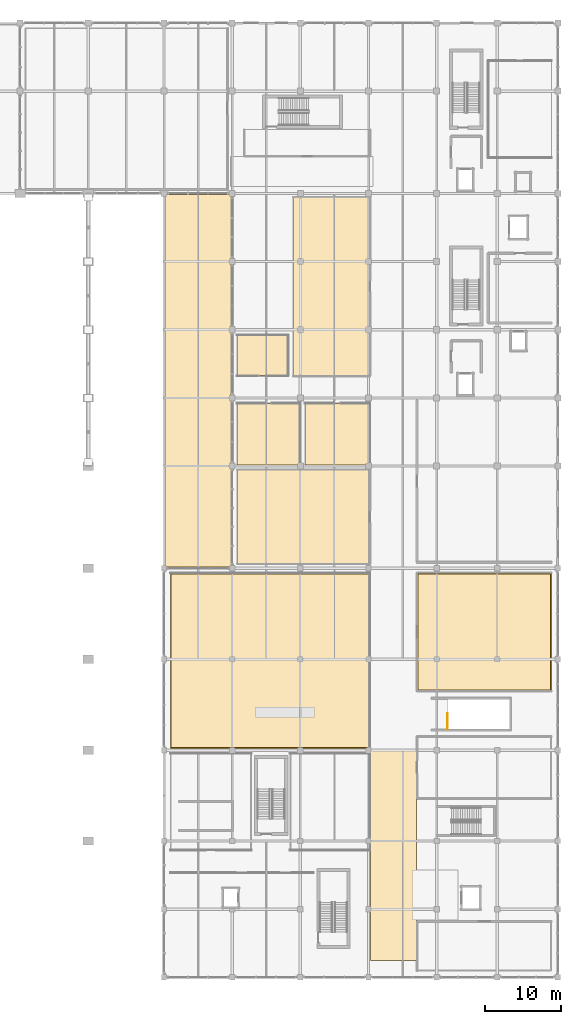
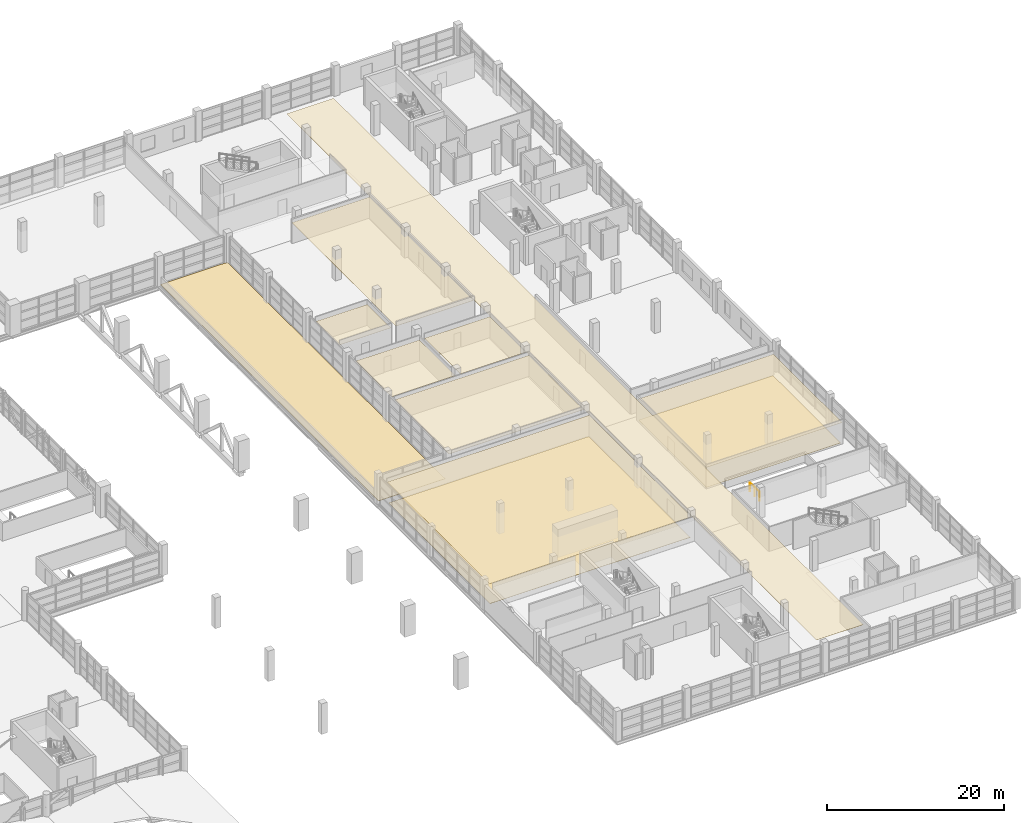
# One storey, part 132 of 136: 11 coverings, 1 railing.
"""IFC4 building model written with IfcOpenShell, lengths in metres."""

from ifc_helpers import new_model, si_unit, direction, frame, origin, origin_2d, place, context, subcontext, project, spatial, polyline, circle, outline, extrude, material, layer, layer_set, type_object, element, save


model = new_model("IFC4")

# Units and contexts
model_context = context("Model", 3, precision=1e-05, world=origin(), true_north=direction((0.0, 1.0)))
body_context = subcontext(model_context, "Body", "Model", "MODEL_VIEW")
ifc_project = project(units=[si_unit("LENGTHUNIT", "METRE"), si_unit("AREAUNIT", "SQUARE_METRE"), si_unit("VOLUMEUNIT", "CUBIC_METRE"), si_unit("PLANEANGLEUNIT", "RADIAN"), si_unit("MASSUNIT", "GRAM", prefix="KILO")], contexts=[model_context])

# Site, building, storey
site_placement = place(None, origin())
site = spatial("IfcSite", under=ifc_project, at=site_placement, CompositionType="ELEMENT")
building_placement = place(site_placement, origin())
building = spatial("IfcBuilding", under=site, at=building_placement, Name="Chuanluo Vaults Station", CompositionType="ELEMENT")
storey_placement = place(building_placement, frame((0.0, 0.0, 6.60009765625)))
storey = spatial("IfcBuildingStorey", under=building, at=storey_placement, Name="L01", CompositionType="ELEMENT", Elevation=6.60009765625)

# Coverings
ifc_material_1 = material(Name="Acoustic mineral-fibre tile")
ifc_layer_1 = layer(ifc_material_1, 0.02490234375)
ifc_layer_set_1 = layer_set([ifc_layer_1], Name="Acoustic mineral-fibre tile")
covering_type_1 = type_object("IfcCoveringType", Name="COV-CEIL-TILE", PredefinedType="CEILING", material=ifc_layer_set_1)
covering_1_placement = place(storey_placement, frame((0.0, 0.0, 2.849853515625)))
element("IfcCovering", 1, at=covering_1_placement, inside=storey, type_object=covering_type_1, Name="L01-06 suspended acoustic ceiling", PredefinedType="CEILING", context=body_context, shape_type="SweptSolid", body=[
    extrude(outline(polyline([(163.239990234375, 2.199951171875), (169.360107421875, 2.199951171875), (169.360107421875, 121.800048828125), (163.239990234375, 121.800048828125), (163.239990234375, 2.199951171875)])), origin(), (0.0, 0.0, 1.0), 0.025146484375),
])
covering_2_placement = place(storey_placement, frame((0.0, 0.0, 2.849853515625)))
element("IfcCovering", 2, at=covering_2_placement, inside=storey, type_object=covering_type_1, Name="L01-09 suspended acoustic ceiling", PredefinedType="CEILING", context=body_context, shape_type="SweptSolid", body=[
    extrude(outline(polyline([(136.840087890625, 30.239990234375), (163.159912109375, 30.239990234375), (163.159912109375, 53.360107421875), (136.840087890625, 53.360107421875), (136.840087890625, 30.239990234375)])), origin(), (0.0, 0.0, 1.0), 0.025146484375),
])
covering_3_placement = place(storey_placement, frame((0.0, 0.0, 2.849853515625)))
element("IfcCovering", 3, at=covering_3_placement, inside=storey, type_object=covering_type_1, Name="L01-11 suspended acoustic ceiling", PredefinedType="CEILING", context=body_context, shape_type="SweptSolid", body=[
    extrude(outline(polyline([(169.43994140625, 37.840087890625), (187.159912109375, 37.840087890625), (187.159912109375, 53.360107421875), (169.43994140625, 53.360107421875), (169.43994140625, 37.840087890625)])), origin(), (0.0, 0.0, 1.0), 0.025146484375),
])
covering_4_placement = place(storey_placement, frame((0.0, 0.0, 2.849853515625)))
element("IfcCovering", 4, at=covering_4_placement, inside=storey, type_object=covering_type_1, Name="L01-12 suspended acoustic ceiling", PredefinedType="CEILING", context=body_context, shape_type="SweptSolid", body=[
    extrude(outline(polyline([(145.639892578125, 54.639892578125), (163.159912109375, 54.639892578125), (163.159912109375, 66.9599609375), (145.639892578125, 66.9599609375), (145.639892578125, 54.639892578125)])), origin(), (0.0, 0.0, 1.0), 0.025146484375),
])
covering_5_placement = place(storey_placement, frame((0.0, 0.0, 2.849853515625)))
element("IfcCovering", 5, at=covering_5_placement, inside=storey, type_object=covering_type_1, Name="L01-13 suspended acoustic ceiling", PredefinedType="CEILING", context=body_context, shape_type="SweptSolid", body=[
    extrude(outline(polyline([(145.639892578125, 67.639892578125), (153.9599609375, 67.639892578125), (153.9599609375, 75.760009765625), (145.639892578125, 75.760009765625), (145.639892578125, 67.639892578125)])), origin(), (0.0, 0.0, 1.0), 0.025146484375),
])
covering_6_placement = place(storey_placement, frame((0.0, 0.0, 2.849853515625)))
element("IfcCovering", 6, at=covering_6_placement, inside=storey, type_object=covering_type_1, Name="L01-14 suspended acoustic ceiling", PredefinedType="CEILING", context=body_context, shape_type="SweptSolid", body=[
    extrude(outline(polyline([(154.639892578125, 67.639892578125), (163.159912109375, 67.639892578125), (163.159912109375, 75.760009765625), (154.639892578125, 75.760009765625), (154.639892578125, 67.639892578125)])), origin(), (0.0, 0.0, 1.0), 0.025146484375),
])
covering_7_placement = place(storey_placement, frame((0.0, 0.0, 2.849853515625)))
element("IfcCovering", 7, at=covering_7_placement, inside=storey, type_object=covering_type_1, Name="L01-15 suspended acoustic ceiling", PredefinedType="CEILING", context=body_context, shape_type="SweptSolid", body=[
    extrude(outline(polyline([(145.639892578125, 79.43994140625), (152.360107421875, 79.43994140625), (152.360107421875, 84.760009765625), (145.639892578125, 84.760009765625), (145.639892578125, 79.43994140625)])), origin(), (0.0, 0.0, 1.0), 0.025146484375),
])
covering_8_placement = place(storey_placement, frame((0.0, 0.0, 2.849853515625)))
element("IfcCovering", 8, at=covering_8_placement, inside=storey, type_object=covering_type_1, Name="L01-17 suspended acoustic ceiling", PredefinedType="CEILING", context=body_context, shape_type="SweptSolid", body=[
    extrude(outline(polyline([(153.0400390625, 79.43994140625), (163.159912109375, 79.43994140625), (163.159912109375, 102.9599609375), (153.0400390625, 102.9599609375), (153.0400390625, 79.43994140625)])), origin(), (0.0, 0.0, 1.0), 0.025146484375),
])
ifc_material_2 = material(Name="Granite stone flooring", Category="masonry")
ifc_layer_2 = layer(ifc_material_2, 0.034912109375)
ifc_layer_set_2 = layer_set([ifc_layer_2], Name="Granite stone flooring")
covering_type_2 = type_object("IfcCoveringType", Name="COV-FLOR-GRAN", PredefinedType="FLOORING", material=ifc_layer_set_2)
covering_9_placement = place(storey_placement, origin())
element("IfcCovering", 9, at=covering_9_placement, inside=storey, type_object=covering_type_2, Name="L01-09 granite floor finish", PredefinedType="FLOORING", context=body_context, shape_type="SweptSolid", body=[
    extrude(outline(polyline([(136.949951171875, 30.35009765625), (163.050048828125, 30.35009765625), (163.050048828125, 53.25), (136.949951171875, 53.25), (136.949951171875, 30.35009765625)])), origin(), (0.0, 0.0, 1.0), 0.034912109375),
])
covering_10_placement = place(storey_placement, origin())
element("IfcCovering", 10, at=covering_10_placement, inside=storey, type_object=covering_type_2, Name="L01-11 granite floor finish", PredefinedType="FLOORING", context=body_context, shape_type="SweptSolid", body=[
    extrude(outline(polyline([(169.550048828125, 37.949951171875), (187.050048828125, 37.949951171875), (187.050048828125, 53.25), (169.550048828125, 53.25), (169.550048828125, 37.949951171875)])), origin(), (0.0, 0.0, 1.0), 0.034912109375),
])
ifc_material_3 = material(Name="TPO waterproof roofing membrane")
ifc_layer_3 = layer(ifc_material_3, 0.044921875)
ifc_layer_set_3 = layer_set([ifc_layer_3], Name="TPO waterproof roofing membrane")
covering_type_3 = type_object("IfcCoveringType", Name="COV-ROOF-TPO", PredefinedType="ROOFING", material=ifc_layer_set_3)
covering_11_placement = place(storey_placement, origin())
element("IfcCovering", 11, at=covering_11_placement, inside=storey, type_object=covering_type_3, Name="Waterproof TPO roof membrane ROOF:L01:PAS", PredefinedType="ROOFING", context=body_context, shape_type="SweptSolid", body=[
    extrude(outline(polyline([(136.14990234375, 54.14990234375), (144.85009765625, 54.14990234375), (144.85009765625, 103.35009765625), (136.14990234375, 103.35009765625), (136.14990234375, 54.14990234375)])), origin(), (0.0, 0.0, 1.0), 0.044921875),
])

# Railing
ifc_material_4 = material(Name="Tempered laminated balustrade glass", Category="glass")
railing_type = type_object("IfcRailingType", Name="RLG-GUARD-1200", PredefinedType="BALUSTRADE", material=ifc_material_4)
railing_placement = place(storey_placement, frame((173.449951171875, 32.75, 0.0)))
element("IfcRailing", 12, at=railing_placement, inside=storey, type_object=railing_type, Name="L01 ST-26 top well guard 1", PredefinedType="BALUSTRADE", context=body_context, shape_type="SweptSolid", body=[
    extrude(circle(Radius=0.02392578125, at=origin_2d()), frame((0.0, 0.0, 1.17578125), z_axis=(0.0, 1.0, 0.0), x_axis=(-1.0, 0.0, 0.0)), (0.0, 0.0, 1.0), 2.125),
    extrude(circle(Radius=0.02099609375, at=origin_2d()), origin(), (0.0, 0.0, 1.0), 1.15185546875),
    extrude(circle(Radius=0.02099609375, at=origin_2d()), frame((0.0, 1.0625, 0.0)), (0.0, 0.0, 1.0), 1.15185546875),
    extrude(circle(Radius=0.02099609375, at=origin_2d()), frame((0.0, 2.125, 0.0)), (0.0, 0.0, 1.0), 1.15185546875),
])

save(model, "model.ifc")
